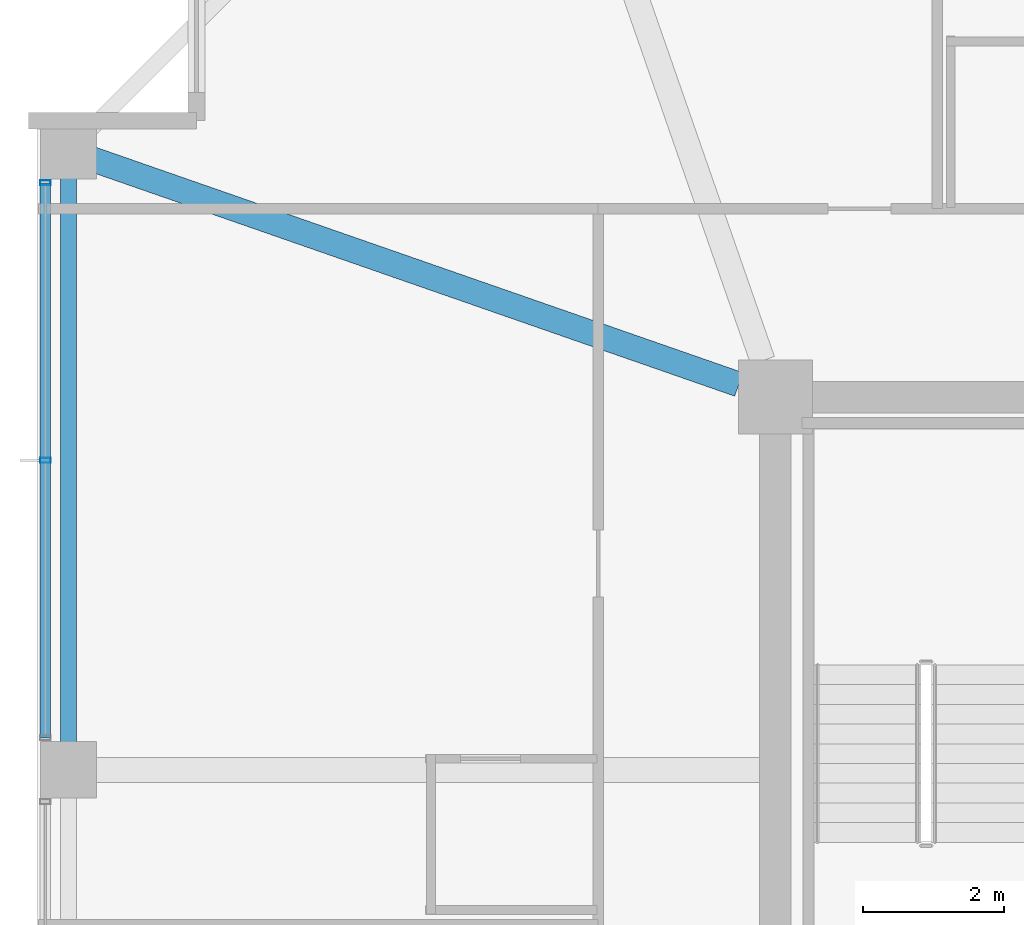
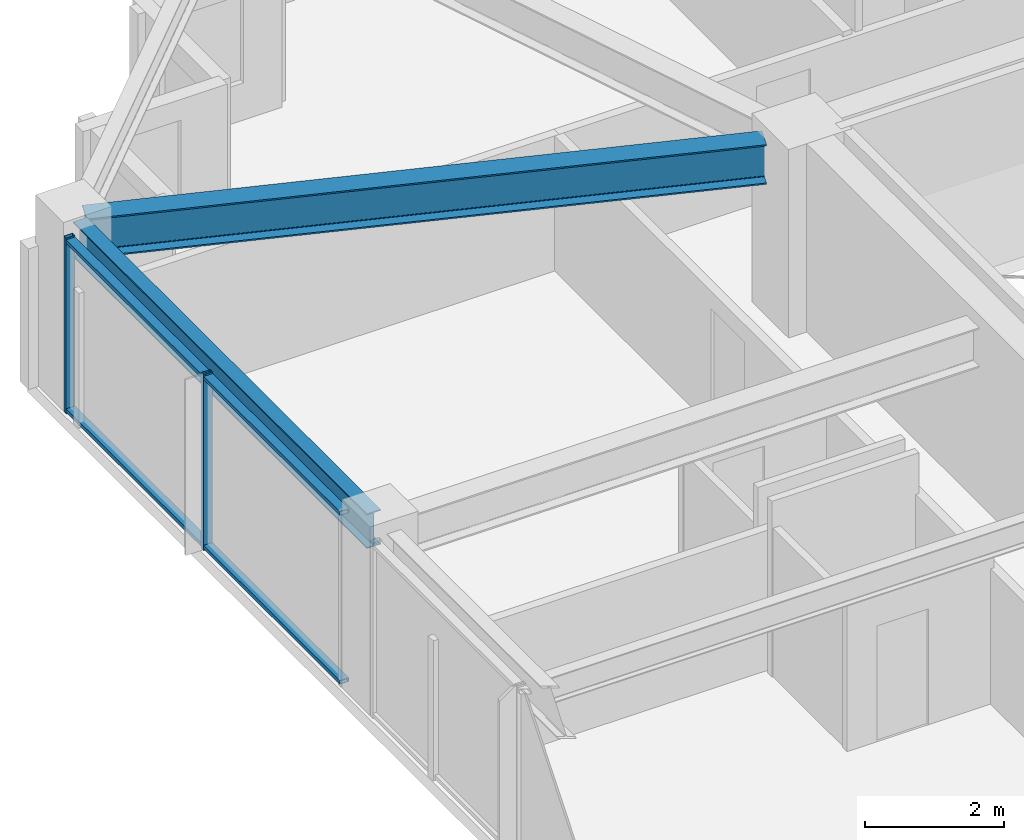
# One storey, part 14 of 36: 4 members, 2 beams, 1 element without a shape of its own.
"""IFC4 building model written with IfcOpenShell, lengths in metres."""

from ifc_helpers import new_model, si_unit, direction, frame, origin, origin_2d, place, context, subcontext, project, spatial, hollow_rectangle, i_section, extrude, material, material_profile, profile_set, type_object, element, aggregate, save


model = new_model("IFC4")

# Units and contexts
model_context = context("Model", 3, precision=1e-05, world=origin(), true_north=direction((0.0, 1.0)))
body_context = subcontext(model_context, "Body", "Model", "MODEL_VIEW")
ifc_project = project(units=[si_unit("LENGTHUNIT", "METRE"), si_unit("AREAUNIT", "SQUARE_METRE"), si_unit("VOLUMEUNIT", "CUBIC_METRE"), si_unit("PLANEANGLEUNIT", "RADIAN"), si_unit("MASSUNIT", "GRAM", prefix="KILO")], contexts=[model_context])

# Site, building, storey
site_placement = place(None, origin())
site = spatial("IfcSite", under=ifc_project, at=site_placement, CompositionType="ELEMENT")
building_placement = place(site_placement, origin())
building = spatial("IfcBuilding", under=site, at=building_placement, Name="Kolvaren Belvedere", CompositionType="ELEMENT")
storey_placement = place(building_placement, frame((0.0, 0.0, 226.199951171875)))
storey = spatial("IfcBuildingStorey", under=building, at=storey_placement, Name="L66", CompositionType="ELEMENT", Elevation=226.199951171875)

# Beams
ifc_material_1 = material(Name="Structural steel ASTM A992 Grade 50", Category="steel")
ifc_material_profile_1 = material_profile(ifc_material_1, i_section(OverallWidth=0.35498046875, OverallDepth=0.696044921875, WebThickness=0.015380859375, FlangeThickness=0.02490234375, FilletRadius=0.02197265625, at=origin_2d()), Name="W27X146")
ifc_profile_set_1 = profile_set([ifc_material_profile_1], Name="Structural steel ASTM A992 Grade 50")
beam_type_1 = type_object("IfcBeamType", Name="BM-GIRD-W27X146", PredefinedType="BEAM", material=ifc_profile_set_1)
beam_1_placement = place(storey_placement, frame((-10.41943359375, 10.080810546875, 2.73193359375), z_axis=(-0.944365399758, 0.328898147971, 0.0), x_axis=(-0.328898147971, -0.944365399758, 0.0)))
element("IfcBeam", 1, at=beam_1_placement, inside=storey, type_object=beam_type_1, Name="L66 Corner Core-to-Perimeter Girder CC4-W4", PredefinedType="BEAM", context=body_context, shape_type="SweptSolid", body=[
    extrude(i_section(OverallWidth=0.35498046875, OverallDepth=0.696044921875, WebThickness=0.015380859375, FlangeThickness=0.02490234375, FilletRadius=0.02197265625, at=origin_2d()), origin(), (0.0, 0.0, 1.0), 9.931884765625),
])
ifc_material_2 = material(Name="Structural steel ASTM A992 Grade 50", Category="steel")
ifc_material_profile_2 = material_profile(ifc_material_2, i_section(OverallWidth=0.22900390625, OverallDepth=0.612060546875, WebThickness=0.011962890625, FlangeThickness=0.01953125, FilletRadius=0.01806640625, at=origin_2d()), Name="W24X84")
ifc_profile_set_2 = profile_set([ifc_material_profile_2], Name="Structural steel ASTM A992 Grade 50")
beam_type_2 = type_object("IfcBeamType", Name="BM-SPAN-W24X84", PredefinedType="SPANDREL", material=ifc_profile_set_2)
beam_2_placement = place(storey_placement, frame((-19.949951171875, 13.219970703125, 2.774169921875), z_axis=(0.0, -1.0, 0.0), x_axis=(1.0, 0.0, 0.0)))
element("IfcBeam", 2, at=beam_2_placement, inside=storey, type_object=beam_type_2, Name="L66 Perimeter Spandrel W4-W3", PredefinedType="SPANDREL", context=body_context, shape_type="SweptSolid", body=[
    extrude(i_section(OverallWidth=0.22900390625, OverallDepth=0.612060546875, WebThickness=0.011962890625, FlangeThickness=0.01953125, FilletRadius=0.01806640625, at=origin_2d()), origin(), (0.0, 0.0, 1.0), 8.43994140625),
])

# Curtain wall, members
ifc_material_3 = material(Name="Anodised pale-metal aluminium AA 6063-T6", Category="aluminium")
curtain_wall_type = type_object("IfcCurtainWallType", Name="CW-Z5-HIGH", PredefinedType="NOTDEFINED", material=ifc_material_3)
curtain_wall_placement = place(storey_placement, origin())
curtain_wall = element("IfcCurtainWall", 3, at=curtain_wall_placement, inside=storey, type_object=curtain_wall_type, Name="L66 Unitised Curtain Wall FCW-L66-W-B3", PredefinedType="NOTDEFINED")
ifc_material_4 = material(Name="Anodised pale-metal aluminium AA 6063-T6", Category="aluminium")
ifc_material_profile_3 = material_profile(ifc_material_4, hollow_rectangle(XDim=0.070068359375, YDim=0.14990234375, WallThickness=0.004150390625, at=origin_2d()), Name="ALU-MUL-150X70")
ifc_profile_set_3 = profile_set([ifc_material_profile_3], Name="Anodised pale-metal aluminium AA 6063-T6")
member_type_1 = type_object("IfcMemberType", Name="CW-MUL-150", PredefinedType="MULLION", material=ifc_profile_set_3)
member_1_placement = place(storey_placement, frame((-20.280029296875, 9.0, 0.0), z_axis=(0.0, 0.0, 1.0), x_axis=(0.0, 1.0, 0.0)))
member_1 = element("IfcMember", 4, at=member_1_placement, type_object=member_type_1, Name="FCW-L66-W-B3 Unitised Mullion 2", PredefinedType="MULLION", context=body_context, shape_type="SweptSolid", body=[
    extrude(hollow_rectangle(XDim=0.070068359375, YDim=0.14990234375, WallThickness=0.004150390625, at=origin_2d()), origin(), (0.0, 0.0, 1.0), 3.080078125),
])
member_2_placement = place(storey_placement, frame((-20.280029296875, 12.945068359375, 0.0), z_axis=(0.0, 0.0, 1.0), x_axis=(0.0, 1.0, 0.0)))
member_2 = element("IfcMember", 5, at=member_2_placement, type_object=member_type_1, Name="FCW-L66-W-B3 Unitised Mullion 3", PredefinedType="MULLION", context=body_context, shape_type="SweptSolid", body=[
    extrude(hollow_rectangle(XDim=0.070068359375, YDim=0.14990234375, WallThickness=0.004150390625, at=origin_2d()), origin(), (0.0, 0.0, 1.0), 3.080078125),
])
ifc_material_5 = material(Name="Anodised pale-metal aluminium AA 6063-T6", Category="aluminium")
ifc_material_profile_4 = material_profile(ifc_material_5, hollow_rectangle(XDim=0.06494140625, YDim=0.14990234375, WallThickness=0.00390625, at=origin_2d()), Name="ALU-TRN-150X65")
ifc_profile_set_4 = profile_set([ifc_material_profile_4], Name="Anodised pale-metal aluminium AA 6063-T6")
member_type_2 = type_object("IfcMemberType", Name="CW-TRN-150", PredefinedType="USERDEFINED", material=ifc_profile_set_4)
member_3_placement = place(storey_placement, frame((-20.280029296875, 5.054931640625, 0.06005859375), z_axis=(0.0, 1.0, 0.0), x_axis=(0.0, 0.0, 1.0)))
member_3 = element("IfcMember", 6, at=member_3_placement, type_object=member_type_2, Name="FCW-L66-W-B3 Sill Transom", ObjectType="TRANSOM", PredefinedType="USERDEFINED", context=body_context, shape_type="SweptSolid", body=[
    extrude(hollow_rectangle(XDim=0.06494140625, YDim=0.14990234375, WallThickness=0.00390625, at=origin_2d()), origin(), (0.0, 0.0, 1.0), 7.89013671875),
])
member_4_placement = place(storey_placement, frame((-20.280029296875, 5.054931640625, 3.02001953125), z_axis=(0.0, 1.0, 0.0), x_axis=(0.0, 0.0, 1.0)))
member_4 = element("IfcMember", 7, at=member_4_placement, type_object=member_type_2, Name="FCW-L66-W-B3 Head Transom", ObjectType="TRANSOM", PredefinedType="USERDEFINED", context=body_context, shape_type="SweptSolid", body=[
    extrude(hollow_rectangle(XDim=0.06494140625, YDim=0.14990234375, WallThickness=0.00390625, at=origin_2d()), origin(), (0.0, 0.0, 1.0), 7.89013671875),
])
aggregate(curtain_wall, [member_1, member_2, member_3, member_4])

save(model, "model.ifc")
